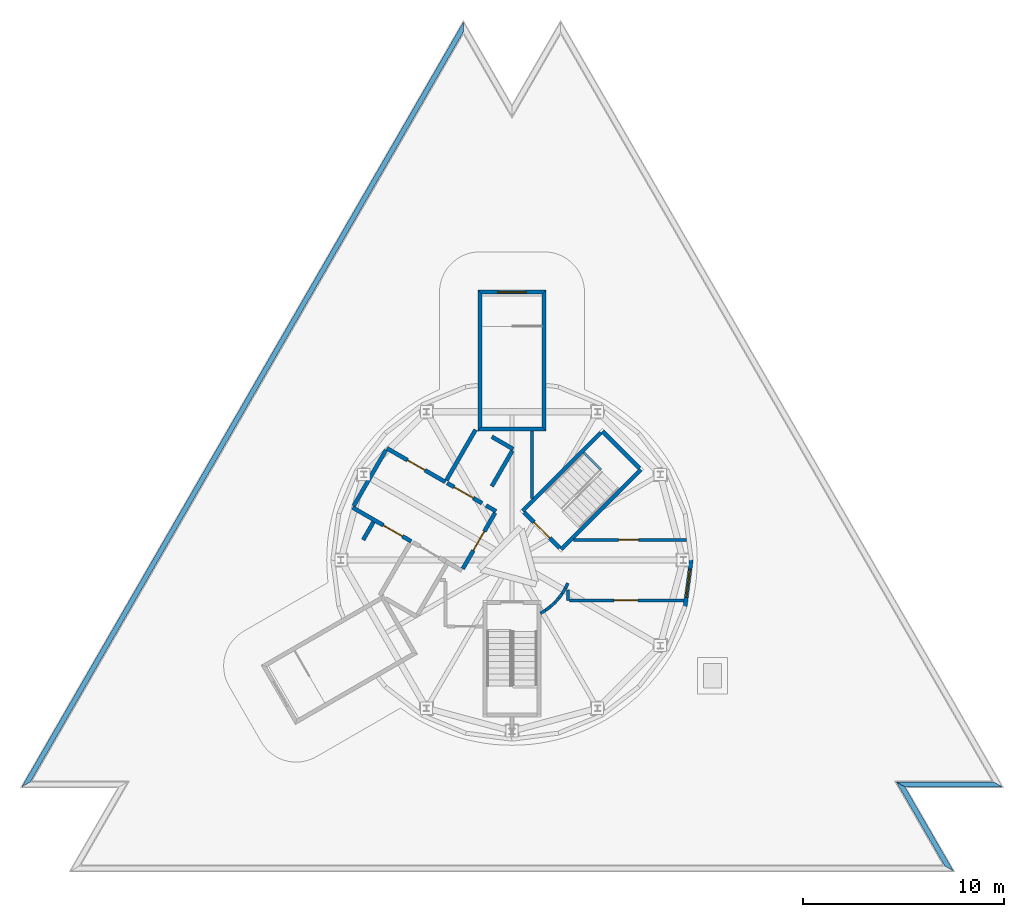
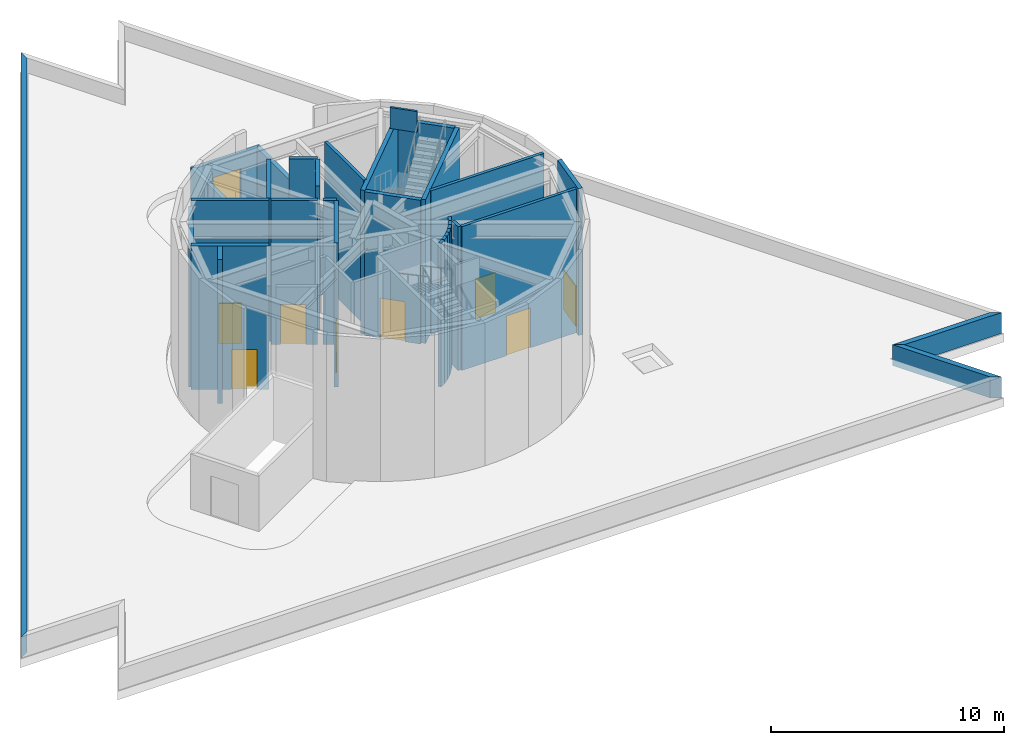
# One storey, part 3 of 7: 34 walls, 9 doors, 9 openings.
"""IFC4 building model written with IfcOpenShell, lengths in metres."""

from ifc_helpers import new_model, si_unit, direction, frame, frame_2d, origin, place, context, subcontext, project, spatial, polyline, rectangle, outline, extrude, material, layer, layer_set, layer_usage, type_object, element, fill, save


model = new_model("IFC4")

# Units and contexts
model_context = context("Model", 3, precision=1e-05, world=origin(), true_north=direction((0.0, 1.0)))
body_context = subcontext(model_context, "Body", "Model", "MODEL_VIEW")
ifc_project = project(units=[si_unit("LENGTHUNIT", "METRE"), si_unit("AREAUNIT", "SQUARE_METRE"), si_unit("VOLUMEUNIT", "CUBIC_METRE"), si_unit("PLANEANGLEUNIT", "RADIAN"), si_unit("MASSUNIT", "GRAM", prefix="KILO")], contexts=[model_context])

# Site, building, storey
site_placement = place(None, origin())
site = spatial("IfcSite", under=ifc_project, at=site_placement, CompositionType="ELEMENT")
building_placement = place(site_placement, origin())
building = spatial("IfcBuilding", under=site, at=building_placement, Name="Triada Interchange Tower", CompositionType="ELEMENT")
storey_placement = place(building_placement, frame((0.0, 0.0, 327.800048828125)))
storey = spatial("IfcBuildingStorey", under=building, at=storey_placement, Name="Roof", CompositionType="ELEMENT", Elevation=327.800048828125)

# Wall
ifc_material_1 = material(Name="Concrete C30/37", Category="concrete")
ifc_layer_1 = layer(ifc_material_1, 0.199951171875)
ifc_layer_set_1 = layer_set([ifc_layer_1], Name="CORE WALL 200 EI 180")
wall_type_1 = type_object("IfcWallType", Name="CORE WALL 200 EI 180", PredefinedType="SOLIDWALL", material=ifc_layer_set_1)
wall_1_placement = place(storey_placement, frame((-7.389892578125, 1.0, 0.0), z_axis=(0.0, 0.0, 1.0), x_axis=(0.499585473836, 0.866264598337, 0.0)))
element("IfcWall", 1, at=wall_1_placement, inside=storey, type_object=wall_type_1, Name="Wall RF 16", PredefinedType="SOLIDWALL", context=body_context, shape_type="SweptSolid", body=[
    extrude(rectangle(XDim=1.028564453125, YDim=0.199951171875, at=frame_2d((0.51416015625, 0.0))), origin(), (0.0, 0.0, 1.0), 7.550048828125),
])

# Wall, opening, door
wall_2_placement = place(storey_placement, frame((-7.907958984375, 2.60302734375, 0.0), z_axis=(0.0, 0.0, 1.0), x_axis=(0.866033983264, -0.499985139611, 0.0)))
wall_2 = element("IfcWall", 2, at=wall_2_placement, inside=storey, type_object=wall_type_1, Name="Wall RF 17", PredefinedType="SOLIDWALL", context=body_context, shape_type="SweptSolid", body=[
    extrude(rectangle(XDim=3.35205078125, YDim=0.199951171875, at=frame_2d((1.676025390625, 0.0))), origin(), (0.0, 0.0, 1.0), 7.550048828125),
])
opening_1_placement = place(wall_2_placement, frame((1.75, 0.0, 0.0)))
opening_1 = element("IfcOpeningElement", 3, at=opening_1_placement, cuts=wall_2, Name="Opening LD-SV1", PredefinedType="OPENING", context=body_context, shape_type="SweptSolid", body=[
    extrude(rectangle(XDim=1.10009765625, YDim=2.10009765625, at=frame_2d((0.550048828125, 1.050048828125))), frame((0.0, 0.10986328125, 0.0), z_axis=(0.0, -1.0, 0.0), x_axis=(1.0, 0.0, 0.0)), (0.0, 0.0, 1.0), 0.219970703125),
])
ifc_material_2 = material(Name="Steel S235 door leaf", Category="steel")
door_type_1 = type_object("IfcDoorType", Name="LIFT LANDING DOOR 1100 EI 120", OperationType="SLIDING_TO_LEFT", PredefinedType="DOOR", material=ifc_material_2)
door_1_placement = place(opening_1_placement, origin())
door_1 = element("IfcDoor", 4, at=door_1_placement, inside=storey, type_object=door_type_1, Name="SV1 landing door Roof", OperationType="SLIDING_TO_LEFT", OverallHeight=2.10009765625, OverallWidth=1.10009765625, PredefinedType="DOOR", context=body_context, shape_type="SweptSolid", body=[
    extrude(rectangle(XDim=1.10009765625, YDim=2.10009765625, at=frame_2d((0.550048828125, 1.050048828125))), frame((0.0, 0.02490234375, 0.0), z_axis=(0.0, -1.0, 0.0), x_axis=(1.0, 0.0, 0.0)), (0.0, 0.0, 1.0), 0.050048828125),
])
fill(opening_1, door_1)

wall_3_placement = place(storey_placement, frame((-6.2080078125, 5.547119140625, 0.0), z_axis=(0.0, 0.0, 1.0), x_axis=(0.866014461049, -0.500018952895, 0.0)))
wall_3 = element("IfcWall", 5, at=wall_3_placement, inside=storey, type_object=wall_type_1, Name="Wall RF 19", PredefinedType="SOLIDWALL", context=body_context, shape_type="SweptSolid", body=[
    extrude(rectangle(XDim=3.349853515625, YDim=0.199951171875, at=frame_2d((1.6748046875, 0.0))), origin(), (0.0, 0.0, 1.0), 7.550048828125),
])
opening_2_placement = place(wall_3_placement, frame((1.175048828125, 0.0, 0.0)))
opening_2 = element("IfcOpeningElement", 6, at=opening_2_placement, cuts=wall_3, Name="Opening DF-04", PredefinedType="OPENING", context=body_context, shape_type="SweptSolid", body=[
    extrude(rectangle(XDim=1.0, YDim=2.10009765625, at=frame_2d((0.5, 1.050048828125))), frame((0.0, 0.10986328125, 0.0), z_axis=(0.0, -1.0, 0.0), x_axis=(1.0, 0.0, 0.0)), (0.0, 0.0, 1.0), 0.219970703125),
])
door_type_2 = type_object("IfcDoorType", Name="ROOM DOOR 1000 EI2 45-C5S200", OperationType="NOTDEFINED", PredefinedType="DOOR", material=ifc_material_2)
door_2_placement = place(opening_2_placement, origin())
door_2 = element("IfcDoor", 7, at=door_2_placement, inside=storey, type_object=door_type_2, Name="Door DF-04 Roof", OperationType="SINGLE_SWING_LEFT", OverallHeight=2.10009765625, OverallWidth=1.0, PredefinedType="DOOR", context=body_context, shape_type="SweptSolid", body=[
    extrude(rectangle(XDim=1.0, YDim=2.10009765625, at=frame_2d((0.5, 1.050048828125))), frame((0.0, 0.02490234375, 0.0), z_axis=(0.0, -1.0, 0.0), x_axis=(1.0, 0.0, 0.0)), (0.0, 0.0, 1.0), 0.050048828125),
])
fill(opening_2, door_2)

# Walls
wall_4_placement = place(storey_placement, frame((-1.2890625, 2.70703125, 0.0), z_axis=(0.0, 0.0, 1.0), x_axis=(0.8663138212, -0.499500113311, 0.0)))
element("IfcWall", 8, at=wall_4_placement, inside=storey, type_object=wall_type_1, Name="Wall RF 20", PredefinedType="SOLIDWALL", context=body_context, shape_type="SweptSolid", body=[
    extrude(rectangle(XDim=0.5703125, YDim=0.199951171875, at=frame_2d((0.28515625, 0.0))), origin(), (0.0, 0.0, 1.0), 7.550048828125),
])
wall_5_placement = place(storey_placement, frame((-7.85791015625, 2.68896484375, 0.0), z_axis=(0.0, 0.0, 1.0), x_axis=(0.499872130319, 0.866099216793, 0.0)))
element("IfcWall", 9, at=wall_5_placement, inside=storey, type_object=wall_type_1, Name="Wall RF 21", PredefinedType="SOLIDWALL", context=body_context, shape_type="SweptSolid", body=[
    extrude(rectangle(XDim=3.200439453125, YDim=0.199951171875, at=frame_2d((1.60009765625, 0.0))), origin(), (0.0, 0.0, 1.0), 7.25),
])

# Wall, opening, door
wall_6_placement = place(storey_placement, frame((-2.445068359375, -0.43603515625, 0.0), z_axis=(0.0, 0.0, 1.0), x_axis=(0.499929347863, 0.866066190972, 0.0)))
wall_6 = element("IfcWall", 10, at=wall_6_placement, inside=storey, type_object=wall_type_1, Name="Wall RF 22", PredefinedType="SOLIDWALL", context=body_context, shape_type="SweptSolid", body=[
    extrude(rectangle(XDim=3.20068359375, YDim=0.199951171875, at=frame_2d((1.600341796875, 0.0))), origin(), (0.0, 0.0, 1.0), 7.550048828125),
])
opening_3_placement = place(wall_6_placement, frame((1.050048828125, 0.0, 0.0)))
opening_3 = element("IfcOpeningElement", 11, at=opening_3_placement, cuts=wall_6, Name="Opening DF-07", PredefinedType="OPENING", context=body_context, shape_type="SweptSolid", body=[
    extrude(rectangle(XDim=1.10009765625, YDim=2.10009765625, at=frame_2d((0.550048828125, 1.050048828125))), frame((0.0, 0.10986328125, 0.0), z_axis=(0.0, -1.0, 0.0), x_axis=(1.0, 0.0, 0.0)), (0.0, 0.0, 1.0), 0.219970703125),
])
door_type_3 = type_object("IfcDoorType", Name="FIRE LOBBY DOOR 1100 EI2 90-C5S200", OperationType="NOTDEFINED", PredefinedType="DOOR", material=ifc_material_2)
door_3_placement = place(opening_3_placement, origin())
door_3 = element("IfcDoor", 12, at=door_3_placement, inside=storey, type_object=door_type_3, Name="Door DF-07 Roof", OperationType="SINGLE_SWING_RIGHT", OverallHeight=2.10009765625, OverallWidth=1.10009765625, PredefinedType="DOOR", context=body_context, shape_type="SweptSolid", body=[
    extrude(rectangle(XDim=1.10009765625, YDim=2.10009765625, at=frame_2d((0.550048828125, 1.050048828125))), frame((0.0, 0.02490234375, 0.0), z_axis=(0.0, -1.0, 0.0), x_axis=(1.0, 0.0, 0.0)), (0.0, 0.0, 1.0), 0.050048828125),
])
fill(opening_3, door_3)

# Walls
wall_7_placement = place(storey_placement, frame((-1.001953125, 6.12109375, 0.0), z_axis=(0.0, 0.0, 1.0), x_axis=(0.866119404512, -0.499837150608, 0.0)))
element("IfcWall", 13, at=wall_7_placement, inside=storey, type_object=wall_type_1, Name="Shaft wall FF2 RF 27", PredefinedType="SOLIDWALL", context=body_context, shape_type="SweptSolid", body=[
    extrude(rectangle(XDim=1.228515625, YDim=0.199951171875, at=frame_2d((0.6142578125, 0.0))), origin(), (0.0, 0.0, 1.0), 7.550048828125),
])
wall_8_placement = place(storey_placement, frame((-3.257080078125, 3.958984375, 0.0), z_axis=(0.0, 0.0, 1.0), x_axis=(0.50012328804, 0.865954211699, 0.0)))
element("IfcWall", 14, at=wall_8_placement, inside=storey, type_object=wall_type_1, Name="Shaft wall FF2 RF 28", PredefinedType="SOLIDWALL", context=body_context, shape_type="SweptSolid", body=[
    extrude(rectangle(XDim=2.899658203125, YDim=0.199951171875, at=frame_2d((1.44970703125, 0.0))), origin(), (0.0, 0.0, 1.0), 7.550048828125),
])

# Wall, opening, door
wall_9_placement = place(storey_placement, frame((-3.219970703125, 3.822021484375, 0.0), z_axis=(0.0, 0.0, 1.0), x_axis=(0.865921435732, -0.500180034728, 0.0)))
wall_9 = element("IfcWall", 15, at=wall_9_placement, inside=storey, type_object=wall_type_1, Name="Shaft wall FF2 RF 29", PredefinedType="SOLIDWALL", context=body_context, shape_type="SweptSolid", body=[
    extrude(rectangle(XDim=2.001220703125, YDim=0.199951171875, at=frame_2d((1.00048828125, 0.0))), origin(), (0.0, 0.0, 1.0), 7.550048828125),
])
opening_4_placement = place(wall_9_placement, frame((0.39990234375, 0.0, 0.0)))
opening_4 = element("IfcOpeningElement", 16, at=opening_4_placement, cuts=wall_9, Name="Opening LD-FF2", PredefinedType="OPENING", context=body_context, shape_type="SweptSolid", body=[
    extrude(rectangle(XDim=1.10009765625, YDim=2.10009765625, at=frame_2d((0.550048828125, 1.050048828125))), frame((0.0, 0.10986328125, 0.0), z_axis=(0.0, -1.0, 0.0), x_axis=(1.0, 0.0, 0.0)), (0.0, 0.0, 1.0), 0.219970703125),
])
door_4_placement = place(opening_4_placement, origin())
door_4 = element("IfcDoor", 17, at=door_4_placement, inside=storey, type_object=door_type_1, Name="FF2 landing door Roof", OperationType="SLIDING_TO_LEFT", OverallHeight=2.10009765625, OverallWidth=1.10009765625, PredefinedType="DOOR", context=body_context, shape_type="SweptSolid", body=[
    extrude(rectangle(XDim=1.10009765625, YDim=2.10009765625, at=frame_2d((0.550048828125, 1.050048828125))), frame((0.0, 0.02490234375, 0.0), z_axis=(0.0, -1.0, 0.0), x_axis=(1.0, 0.0, 0.0)), (0.0, 0.0, 1.0), 0.050048828125),
])
fill(opening_4, door_4)

# Walls
wall_10_placement = place(storey_placement, frame((-1.001953125, 3.6640625, 0.0), z_axis=(0.0, 0.0, 1.0), x_axis=(0.50006293075, 0.86598906765, 0.0)))
element("IfcWall", 18, at=wall_10_placement, inside=storey, type_object=wall_type_1, Name="Shaft wall FF2 RF 30", PredefinedType="SOLIDWALL", context=body_context, shape_type="SweptSolid", body=[
    extrude(rectangle(XDim=2.027587890625, YDim=0.199951171875, at=frame_2d((1.013671875, 0.0))), origin(), (0.0, 0.0, 1.0), 7.550048828125),
])
ifc_layer_2 = layer(ifc_material_1, 0.199951171875)
ifc_layer_set_2 = layer_set([ifc_layer_2], Name="CORE WALL 200 REI 240")
wall_type_2 = type_object("IfcWallType", Name="CORE WALL 200 REI 240", PredefinedType="SOLIDWALL", material=ifc_layer_set_2)
wall_11_placement = place(storey_placement, frame((2.43994140625, 0.530029296875, 0.0), z_axis=(0.0, 0.0, 1.0), x_axis=(0.707106781187, 0.707106781187, 0.0)))
element("IfcWall", 19, at=wall_11_placement, inside=storey, type_object=wall_type_2, Name="Wall RF 35", PredefinedType="SOLIDWALL", context=body_context, shape_type="SweptSolid", body=[
    extrude(rectangle(XDim=5.600341796875, YDim=0.199951171875, at=frame_2d((2.80029296875, 0.0))), origin(), (0.0, 0.0, 1.0), 7.550048828125),
])
wall_12_placement = place(storey_placement, frame((4.489990234375, 6.39990234375, 0.0), z_axis=(0.0, 0.0, 1.0), x_axis=(0.707153716687, -0.707059842571, 0.0)))
element("IfcWall", 20, at=wall_12_placement, inside=storey, type_object=wall_type_2, Name="Wall RF 36", PredefinedType="SOLIDWALL", context=body_context, shape_type="SweptSolid", body=[
    extrude(rectangle(XDim=2.600830078125, YDim=0.199951171875, at=frame_2d((1.30029296875, 0.0))), origin(), (0.0, 0.0, 1.0), 7.550048828125),
])
wall_13_placement = place(storey_placement, frame((0.530029296875, 2.43994140625, 0.0), z_axis=(0.0, 0.0, 1.0), x_axis=(0.707084585955, 0.707128975721, 0.0)))
element("IfcWall", 21, at=wall_13_placement, inside=storey, type_object=wall_type_2, Name="Wall RF 37", PredefinedType="SOLIDWALL", context=body_context, shape_type="SweptSolid", body=[
    extrude(rectangle(XDim=5.5, YDim=0.199951171875, at=frame_2d((2.75, 0.0))), origin(), (0.0, 0.0, 1.0), 7.550048828125),
])

# Wall, opening, door
wall_14_placement = place(storey_placement, frame((0.60107421875, 2.368896484375, 0.0), z_axis=(0.0, 0.0, 1.0), x_axis=(0.707106781187, -0.707106781187, 0.0)))
wall_14 = element("IfcWall", 22, at=wall_14_placement, inside=storey, type_object=wall_type_2, Name="Wall RF 38", PredefinedType="SOLIDWALL", context=body_context, shape_type="SweptSolid", body=[
    extrude(rectangle(XDim=2.5, YDim=0.199951171875, at=frame_2d((1.25, 0.0))), origin(), (0.0, 0.0, 1.0), 7.550048828125),
])
opening_5_placement = place(wall_14_placement, frame((0.699951171875, 0.0, 0.0)))
opening_5 = element("IfcOpeningElement", 23, at=opening_5_placement, cuts=wall_14, Name="Opening DF-05", PredefinedType="OPENING", context=body_context, shape_type="SweptSolid", body=[
    extrude(rectangle(XDim=1.10009765625, YDim=2.10009765625, at=frame_2d((0.550048828125, 1.050048828125))), frame((0.0, 0.10986328125, 0.0), z_axis=(0.0, -1.0, 0.0), x_axis=(1.0, 0.0, 0.0)), (0.0, 0.0, 1.0), 0.219970703125),
])
door_type_4 = type_object("IfcDoorType", Name="STAIR DOOR 1100 EI2 90-C5S200", OperationType="DOUBLE_DOOR_SINGLE_SWING", PredefinedType="DOOR", material=ifc_material_2)
door_5_placement = place(opening_5_placement, origin())
door_5 = element("IfcDoor", 24, at=door_5_placement, inside=storey, type_object=door_type_4, Name="Door DF-05 Roof", OperationType="DOUBLE_DOOR_SINGLE_SWING", OverallHeight=2.10009765625, OverallWidth=1.10009765625, PredefinedType="DOOR", context=body_context, shape_type="SweptSolid", body=[
    extrude(rectangle(XDim=1.10009765625, YDim=2.10009765625, at=frame_2d((0.550048828125, 1.050048828125))), frame((0.0, 0.02490234375, 0.0), z_axis=(0.0, -1.0, 0.0), x_axis=(1.0, 0.0, 0.0)), (0.0, 0.0, 1.0), 0.050048828125),
])
fill(opening_5, door_5)

# Walls
wall_15_placement = place(storey_placement, frame((1.60009765625, 6.5, -0.449951171875), z_axis=(0.0, 0.0, 1.0), x_axis=(-1.0, 0.0, 0.0)))
element("IfcWall", 25, at=wall_15_placement, inside=storey, type_object=wall_type_2, Name="Head-house wall 1 1", PredefinedType="SOLIDWALL", context=body_context, shape_type="SweptSolid", body=[
    extrude(outline(polyline([(-0.10009765625, 0.10009765625), (1.617431640625, 0.10009765625), (3.3349609375, 0.10009765625), (3.135009765625, -0.10009765625), (1.61767578125, -0.10009765625), (0.10009765625, -0.10009765625), (-0.10009765625, 0.10009765625)])), origin(), (0.0, 0.0, 1.0), 3.349853515625),
])
wall_16_placement = place(storey_placement, frame((-1.60009765625, 6.5, -0.449951171875), z_axis=(0.0, 0.0, 1.0), x_axis=(0.0, 1.0, 0.0)))
element("IfcWall", 26, at=wall_16_placement, inside=storey, type_object=wall_type_2, Name="Head-house wall 1 2", PredefinedType="SOLIDWALL", context=body_context, shape_type="SweptSolid", body=[
    extrude(outline(polyline([(-0.135009765625, 0.10009765625), (1.623779296875, 0.10009765625), (3.38232421875, 0.10009765625), (5.14111328125, 0.10009765625), (6.89990234375, 0.10009765625), (6.699951171875, -0.10009765625), (5.041259765625, -0.10009765625), (3.38232421875, -0.10009765625), (1.7236328125, -0.10009765625), (0.06494140625, -0.10009765625), (-0.135009765625, 0.10009765625)])), origin(), (0.0, 0.0, 1.0), 3.349853515625),
])

# Wall, opening, door
wall_17_placement = place(storey_placement, frame((-1.60009765625, 13.300048828125, -0.449951171875), z_axis=(0.0, 0.0, 1.0), x_axis=(1.0, 0.0, 0.0)))
wall_17 = element("IfcWall", 27, at=wall_17_placement, inside=storey, type_object=wall_type_2, Name="Head-house wall 1 3", PredefinedType="SOLIDWALL", context=body_context, shape_type="SweptSolid", body=[
    extrude(outline(polyline([(-0.10009765625, 0.10009765625), (1.60009765625, 0.10009765625), (3.300048828125, 0.10009765625), (3.10009765625, -0.10009765625), (1.60009765625, -0.10009765625), (0.10009765625, -0.10009765625), (-0.10009765625, 0.10009765625)])), origin(), (0.0, 0.0, 1.0), 3.349853515625),
])
opening_6_placement = place(wall_17_placement, frame((0.89990234375, 0.0, 0.449951171875)))
opening_6 = element("IfcOpeningElement", 28, at=opening_6_placement, cuts=wall_17, Name="Opening DH1", PredefinedType="OPENING", context=body_context, shape_type="SweptSolid", body=[
    extrude(rectangle(XDim=1.39990234375, YDim=2.10009765625, at=frame_2d((0.699951171875, 1.050048828125))), frame((0.0, 0.110107421875, 0.0), z_axis=(0.0, -1.0, 0.0), x_axis=(1.0, 0.0, 0.0)), (0.0, 0.0, 1.0), 0.22021484375),
])
door_type_5 = type_object("IfcDoorType", Name="STAIR DOOR 1400 EI2 90-C5S200", OperationType="DOUBLE_DOOR_SINGLE_SWING", PredefinedType="DOOR", material=ifc_material_2)
door_6_placement = place(opening_6_placement, origin())
door_6 = element("IfcDoor", 29, at=door_6_placement, inside=storey, type_object=door_type_5, Name="Door DH1 Roof", OperationType="DOUBLE_DOOR_SINGLE_SWING", OverallHeight=2.10009765625, OverallWidth=1.39990234375, PredefinedType="DOOR", context=body_context, shape_type="SweptSolid", body=[
    extrude(rectangle(XDim=1.39990234375, YDim=2.10009765625, at=frame_2d((0.699951171875, 1.050048828125))), frame((0.0, 0.02490234375, 0.0), z_axis=(0.0, -1.0, 0.0), x_axis=(1.0, 0.0, 0.0)), (0.0, 0.0, 1.0), 0.050048828125),
])
fill(opening_6, door_6)

# Walls
wall_18_placement = place(storey_placement, frame((1.60009765625, 13.300048828125, -0.449951171875), z_axis=(0.0, 0.0, 1.0), x_axis=(0.0, -1.0, 0.0)))
element("IfcWall", 30, at=wall_18_placement, inside=storey, type_object=wall_type_2, Name="Head-house wall 1 4", PredefinedType="SOLIDWALL", context=body_context, shape_type="SweptSolid", body=[
    extrude(outline(polyline([(-0.10009765625, 0.10009765625), (1.64990234375, 0.10009765625), (3.39990234375, 0.10009765625), (5.14990234375, 0.10009765625), (6.89990234375, 0.10009765625), (6.699951171875, -0.10009765625), (5.050048828125, -0.10009765625), (3.39990234375, -0.10009765625), (1.75, -0.10009765625), (0.10009765625, -0.10009765625), (-0.10009765625, 0.10009765625)])), origin(), (0.0, 0.0, 1.0), 3.349853515625),
])
ifc_material_3 = material(Name="Gypsum board partition")
ifc_layer_3 = layer(ifc_material_3, 0.10009765625)
ifc_layer_set_3 = layer_set([ifc_layer_3], Name="PARTITION 100 EI 90")
wall_type_3 = type_object("IfcWallType", Name="PARTITION 100 EI 90", PredefinedType="PARTITIONING", material=ifc_layer_set_3)
wall_19_placement = place(storey_placement, frame((4.4189453125, 4.489990234375, 8.0), z_axis=(0.0, 0.0, 1.0), x_axis=(-0.706597961652, 0.707615234848, 0.0)))
element("IfcWall", 31, at=wall_19_placement, inside=storey, type_object=wall_type_3, Name="Stair guard wall RS1", PredefinedType="PARTITIONING", context=body_context, shape_type="SweptSolid", body=[
    extrude(rectangle(XDim=1.199951171875, YDim=0.10009765625, at=frame_2d((0.60009765625, 0.0))), origin(), (0.0, 0.0, 1.0), 1.099853515625),
])
ifc_layer_4 = layer(ifc_material_3, 0.14990234375)
ifc_layer_set_4 = layer_set([ifc_layer_4], Name="PARTITION 150 EI 180")
wall_type_4 = type_object("IfcWallType", Name="PARTITION 150 EI 180", PredefinedType="PARTITIONING", material=ifc_layer_set_4)
wall_20_placement = place(storey_placement, frame((1.0, 3.051025390625, 0.0), z_axis=(0.0, 0.0, 1.0), x_axis=(0.0, 1.0, 0.0)))
element("IfcWall", 32, at=wall_20_placement, inside=storey, type_object=wall_type_4, Name="Wall RF 5", PredefinedType="PARTITIONING", context=body_context, shape_type="SweptSolid", body=[
    extrude(rectangle(XDim=3.348876953125, YDim=0.14990234375, at=frame_2d((1.67431640625, 0.0))), origin(), (0.0, 0.0, 1.0), 7.550048828125),
])
wall_21_placement = place(storey_placement, frame((1.4140625, -2.64599609375, 0.0), z_axis=(0.0, 0.0, 1.0), x_axis=(0.856981583838, 0.515347033524, 0.0)))
element("IfcWall", 33, at=wall_21_placement, inside=storey, type_object=wall_type_4, Name="Wall RF 6", PredefinedType="PARTITIONING", context=body_context, shape_type="SweptSolid", body=[
    extrude(rectangle(XDim=0.295166015625, YDim=0.14990234375, at=frame_2d((0.1474609375, 0.0))), origin(), (0.0, 0.0, 1.0), 7.550048828125),
])
wall_22_placement = place(storey_placement, frame((1.6669921875, -2.493896484375, 0.0), z_axis=(0.0, 0.0, 1.0), x_axis=(0.803674959906, 0.595068532877, 0.0)))
element("IfcWall", 34, at=wall_22_placement, inside=storey, type_object=wall_type_4, Name="Wall RF 7", PredefinedType="PARTITIONING", context=body_context, shape_type="SweptSolid", body=[
    extrude(rectangle(XDim=0.293701171875, YDim=0.14990234375, at=frame_2d((0.14697265625, 0.0))), origin(), (0.0, 0.0, 1.0), 7.550048828125),
])
for number, where, z_axis, x_axis, name in (
    (35, (1.903076171875, -2.319091796875, 0.0), (0.0, 0.0, 1.0), (0.740277573162, 0.672301357037, 0.0), "Wall RF 8"),
    (36, (2.12109375, -2.12109375, 0.0), (0.0, 0.0, 1.0), (0.672301357037, 0.740277573162, 0.0), "Wall RF 9"),
):
    element("IfcWall", number, at=place(storey_placement, frame(where, z_axis=z_axis, x_axis=x_axis)), inside=storey, type_object=wall_type_4, Name=name, PredefinedType="PARTITIONING", context=body_context, shape_type="SweptSolid", body=[
        extrude(rectangle(XDim=0.29443359375, YDim=0.14990234375, at=frame_2d((0.147216796875, 0.0))), origin(), (0.0, 0.0, 1.0), 7.550048828125),
    ])
wall_23_placement = place(storey_placement, frame((2.319091796875, -1.903076171875, 0.0), z_axis=(0.0, 0.0, 1.0), x_axis=(0.595068532877, 0.803674959906, 0.0)))
element("IfcWall", 37, at=wall_23_placement, inside=storey, type_object=wall_type_4, Name="Wall RF 10", PredefinedType="PARTITIONING", context=body_context, shape_type="SweptSolid", body=[
    extrude(rectangle(XDim=0.293701171875, YDim=0.14990234375, at=frame_2d((0.14697265625, 0.0))), origin(), (0.0, 0.0, 1.0), 7.550048828125),
])
wall_24_placement = place(storey_placement, frame((2.493896484375, -1.6669921875, 0.0), z_axis=(0.0, 0.0, 1.0), x_axis=(0.515347033524, 0.856981583838, 0.0)))
element("IfcWall", 38, at=wall_24_placement, inside=storey, type_object=wall_type_4, Name="Wall RF 11", PredefinedType="PARTITIONING", context=body_context, shape_type="SweptSolid", body=[
    extrude(rectangle(XDim=0.295166015625, YDim=0.14990234375, at=frame_2d((0.1474609375, 0.0))), origin(), (0.0, 0.0, 1.0), 7.550048828125),
])
wall_25_placement = place(storey_placement, frame((2.64599609375, -1.4140625, 0.0), z_axis=(0.0, 0.0, 1.0), x_axis=(0.427905291672, 0.90382357867, 0.0)))
element("IfcWall", 39, at=wall_25_placement, inside=storey, type_object=wall_type_4, Name="Wall RF 12", PredefinedType="PARTITIONING", context=body_context, shape_type="SweptSolid", body=[
    extrude(rectangle(XDim=0.289794921875, YDim=0.14990234375, at=frame_2d((0.14501953125, 0.0))), origin(), (0.0, 0.0, 1.0), 7.550048828125),
])
wall_26_placement = place(storey_placement, frame((2.77001953125, -2.0, 0.0), z_axis=(0.0, 0.0, 1.0), x_axis=(0.0, 1.0, 0.0)))
element("IfcWall", 40, at=wall_26_placement, inside=storey, type_object=wall_type_4, Name="Wall RF 13", PredefinedType="PARTITIONING", context=body_context, shape_type="SweptSolid", body=[
    extrude(rectangle(XDim=0.5048828125, YDim=0.14990234375, at=frame_2d((0.25244140625, 0.0))), origin(), (0.0, 0.0, 1.0), 7.550048828125),
])

# Wall, opening, door
wall_27_placement = place(storey_placement, frame((2.844970703125, -2.0, 0.0), z_axis=(0.0, 0.0, 1.0), x_axis=(1.0, 0.0, 0.0)))
wall_27 = element("IfcWall", 41, at=wall_27_placement, inside=storey, type_object=wall_type_4, Name="Wall RF 14", PredefinedType="PARTITIONING", context=body_context, shape_type="SweptSolid", body=[
    extrude(rectangle(XDim=5.692138671875, YDim=0.14990234375, at=frame_2d((2.84619140625, 0.0))), origin(), (0.0, 0.0, 1.0), 7.550048828125),
])
opening_7_placement = place(wall_27_placement, frame((2.2080078125, 0.0, 0.0)))
opening_7 = element("IfcOpeningElement", 42, at=opening_7_placement, cuts=wall_27, Name="Opening DF-01", PredefinedType="OPENING", context=body_context, shape_type="SweptSolid", body=[
    extrude(rectangle(XDim=1.199951171875, YDim=2.10009765625, at=frame_2d((0.60009765625, 1.050048828125))), frame((0.0, 0.0849609375, 0.0), z_axis=(0.0, -1.0, 0.0), x_axis=(1.0, 0.0, 0.0)), (0.0, 0.0, 1.0), 0.169921875),
])
door_type_6 = type_object("IfcDoorType", Name="DOUBLE ROOM DOOR 1200 EI2 45-C5S200", OperationType="DOUBLE_DOOR_SINGLE_SWING", PredefinedType="DOOR", material=ifc_material_2)
door_7_placement = place(opening_7_placement, origin())
door_7 = element("IfcDoor", 43, at=door_7_placement, inside=storey, type_object=door_type_6, Name="Door DF-01 Roof", OperationType="DOUBLE_DOOR_SINGLE_SWING", OverallHeight=2.10009765625, OverallWidth=1.199951171875, PredefinedType="DOOR", context=body_context, shape_type="SweptSolid", body=[
    extrude(rectangle(XDim=1.199951171875, YDim=2.10009765625, at=frame_2d((0.60009765625, 1.050048828125))), frame((0.0, 0.02490234375, 0.0), z_axis=(0.0, -1.0, 0.0), x_axis=(1.0, 0.0, 0.0)), (0.0, 0.0, 1.0), 0.050048828125),
])
fill(opening_7, door_7)

wall_28_placement = place(storey_placement, frame((3.051025390625, 1.0, 0.0), z_axis=(0.0, 0.0, 1.0), x_axis=(1.0, 0.0, 0.0)))
wall_28 = element("IfcWall", 44, at=wall_28_placement, inside=storey, type_object=wall_type_4, Name="Wall RF 15", PredefinedType="PARTITIONING", context=body_context, shape_type="SweptSolid", body=[
    extrude(rectangle(XDim=5.616943359375, YDim=0.14990234375, at=frame_2d((2.80859375, 0.0))), origin(), (0.0, 0.0, 1.0), 7.550048828125),
])
opening_8_placement = place(wall_28_placement, frame((2.238037109375, 0.0, 0.0)))
opening_8 = element("IfcOpeningElement", 45, at=opening_8_placement, cuts=wall_28, Name="Opening DF-02", PredefinedType="OPENING", context=body_context, shape_type="SweptSolid", body=[
    extrude(rectangle(XDim=1.0, YDim=2.10009765625, at=frame_2d((0.5, 1.050048828125))), frame((0.0, 0.0849609375, 0.0), z_axis=(0.0, -1.0, 0.0), x_axis=(1.0, 0.0, 0.0)), (0.0, 0.0, 1.0), 0.169921875),
])
door_8_placement = place(opening_8_placement, origin())
door_8 = element("IfcDoor", 46, at=door_8_placement, inside=storey, type_object=door_type_2, Name="Door DF-02 Roof", OperationType="SINGLE_SWING_RIGHT", OverallHeight=2.10009765625, OverallWidth=1.0, PredefinedType="DOOR", context=body_context, shape_type="SweptSolid", body=[
    extrude(rectangle(XDim=1.0, YDim=2.10009765625, at=frame_2d((0.5, 1.050048828125))), frame((0.0, 0.02490234375, 0.0), z_axis=(0.0, -1.0, 0.0), x_axis=(1.0, 0.0, 0.0)), (0.0, 0.0, 1.0), 0.050048828125),
])
fill(opening_8, door_8)

ifc_material_4 = material(Name="Cement board")
ifc_layer_5 = layer(ifc_material_4, 0.02001953125, Name="Cement board cladding")
ifc_material_5 = material(Name="Sheathing board")
ifc_layer_6 = layer(ifc_material_5, 0.014892578125, Name="Sheathing board")
ifc_material_6 = material(Name="Mineral wool")
ifc_layer_7 = layer(ifc_material_6, 0.14990234375, Name="Mineral wool between steel studs")
ifc_material_7 = material(Name="Gypsum board")
ifc_layer_8 = layer(ifc_material_7, 0.014892578125, Name="Plasterboard lining")
ifc_layer_set_5 = layer_set([ifc_layer_5, ifc_layer_6, ifc_layer_7, ifc_layer_8], Name="Plant drum access wall")
ifc_layer_usage_1 = layer_usage(ifc_layer_set_5, "AXIS2", "POSITIVE", -0.10009765625)
wall_type_5 = type_object("IfcWallType", Name="Plant drum access wall", PredefinedType="ELEMENTEDWALL", material=ifc_layer_set_5)
wall_29_placement = place(storey_placement, frame((8.594970703125, -2.31689453125, 0.0), z_axis=(0.0, 0.0, 1.0), x_axis=(0.130693689283, 0.991422795573, 0.0)))
wall_29 = element("IfcWall", 47, at=wall_29_placement, inside=storey, type_object=wall_type_5, material=ifc_layer_usage_1, Name="Plant drum access wall 24", PredefinedType="ELEMENTEDWALL", context=body_context, shape_type="SweptSolid", body=[
    extrude(rectangle(XDim=2.35009765625, YDim=0.199951171875, at=frame_2d((1.175048828125, 0.0))), origin(), (0.0, 0.0, 1.0), 7.699951171875),
])
opening_9_placement = place(wall_29_placement, frame((0.47509765625, 0.0, 0.14990234375)))
opening_9 = element("IfcOpeningElement", 48, at=opening_9_placement, cuts=wall_29, Name="Opening DA1", PredefinedType="OPENING", context=body_context, shape_type="SweptSolid", body=[
    extrude(rectangle(XDim=1.39990234375, YDim=2.10009765625, at=frame_2d((0.699951171875, 1.050048828125))), frame((0.0, 0.10986328125, 0.0), z_axis=(0.0, -1.0, 0.0), x_axis=(1.0, 0.0, 0.0)), (0.0, 0.0, 1.0), 0.219970703125),
])
ifc_material_8 = material(Name="Timber door set", Category="wood")
door_type_7 = type_object("IfcDoorType", Name="DOUBLE ROOM DOOR 1400", OperationType="DOUBLE_DOOR_SINGLE_SWING", PredefinedType="DOOR", material=ifc_material_8)
door_9_placement = place(opening_9_placement, frame((1.39990234375, 0.0, 0.0), z_axis=(0.0, 0.0, 1.0), x_axis=(-1.0, 0.0, 0.0)))
door_9 = element("IfcDoor", 49, at=door_9_placement, inside=storey, type_object=door_type_7, Name="Door DA1 Roof", OperationType="DOUBLE_DOOR_SINGLE_SWING", OverallHeight=2.10009765625, OverallWidth=1.39990234375, PredefinedType="DOOR", context=body_context, shape_type="SweptSolid", body=[
    extrude(rectangle(XDim=1.39990234375, YDim=2.10009765625, at=frame_2d((0.699951171875, 1.050048828125))), frame((0.0, 0.02490234375, 0.0), z_axis=(0.0, -1.0, 0.0), x_axis=(1.0, 0.0, 0.0)), (0.0, 0.0, 1.0), 0.050048828125),
])
fill(opening_9, door_9)

# Walls
ifc_layer_9 = layer(ifc_material_6, 0.050048828125, Name="Mineral wool insulation")
ifc_material_9 = material(Name="Concrete C40/50", Category="concrete")
ifc_layer_10 = layer(ifc_material_9, 0.199951171875, Name="Reinforced concrete parapet")
ifc_layer_set_6 = layer_set([ifc_layer_9, ifc_layer_10], Name="Roof parapet 250")
ifc_layer_usage_2 = layer_usage(ifc_layer_set_6, "AXIS2", "POSITIVE", -0.125)
wall_type_6 = type_object("IfcWallType", Name="Roof parapet 250", PredefinedType="PARAPET", material=ifc_layer_set_6)
wall_30_placement = place(storey_placement, frame((-2.416015625, 26.465087890625, 0.0), z_axis=(0.0, 0.0, 1.0), x_axis=(-0.500011545715, -0.86601873776, 0.0)))
element("IfcWall", 50, at=wall_30_placement, inside=storey, type_object=wall_type_6, material=ifc_layer_usage_2, Name="Roof parapet 01", PredefinedType="PARAPET", context=body_context, shape_type="SweptSolid", body=[
    extrude(outline(polyline([(-0.216552734375, -0.125), (1.77685546875, -0.125), (3.770263671875, -0.125), (5.763671875, -0.125), (7.75732421875, -0.125), (9.750732421875, -0.125), (11.744140625, -0.124755859375), (13.737548828125, -0.124755859375), (15.73095703125, -0.124755859375), (17.724365234375, -0.124755859375), (19.7177734375, -0.124755859375), (21.71142578125, -0.124755859375), (23.704833984375, -0.124755859375), (25.6982421875, -0.124755859375), (27.691650390625, -0.124755859375), (29.68505859375, -0.124755859375), (31.678466796875, -0.124755859375), (33.671875, -0.12451171875), (35.665283203125, -0.12451171875), (37.658935546875, -0.12451171875), (39.65234375, -0.12451171875), (41.645751953125, -0.12451171875), (43.63916015625, -0.12451171875), (43.2060546875, 0.12548828125), (41.251953125, 0.12548828125), (39.2978515625, 0.12548828125), (37.34375, 0.12548828125), (35.389892578125, 0.12548828125), (33.435791015625, 0.12548828125), (31.481689453125, 0.125244140625), (29.527587890625, 0.125244140625), (27.573486328125, 0.125244140625), (25.619384765625, 0.125244140625), (23.665283203125, 0.125244140625), (21.71142578125, 0.125244140625), (19.75732421875, 0.125244140625), (17.80322265625, 0.125244140625), (15.84912109375, 0.125244140625), (13.89501953125, 0.125244140625), (11.94091796875, 0.125244140625), (9.98681640625, 0.125), (8.03271484375, 0.125), (6.078857421875, 0.125), (4.124755859375, 0.125), (2.170654296875, 0.125), (0.216552734375, 0.125), (-0.216552734375, -0.125)])), origin(), (0.0, 0.0, 1.0), 1.099853515625),
])
wall_31_placement = place(storey_placement, frame((21.7109375, -15.324951171875, 0.0), z_axis=(0.0, 0.0, 1.0), x_axis=(-0.499964445527, 0.866045930196, 0.0)))
element("IfcWall", 51, at=wall_31_placement, inside=storey, type_object=wall_type_6, material=ifc_layer_usage_2, Name="Roof parapet 05", PredefinedType="PARAPET", context=body_context, shape_type="SweptSolid", body=[
    extrude(outline(polyline([(-0.21630859375, -0.12451171875), (1.39453125, -0.12451171875), (3.00537109375, -0.12451171875), (4.6162109375, -0.12451171875), (5.049072265625, 0.12548828125), (3.438232421875, 0.12548828125), (1.82763671875, 0.12548828125), (0.216796875, 0.12548828125), (-0.21630859375, -0.12451171875)])), origin(), (0.0, 0.0, 1.0), 1.099853515625),
])
wall_32_placement = place(storey_placement, frame((19.294921875, -11.139892578125, 0.0), z_axis=(0.0, 0.0, 1.0), x_axis=(1.0, 0.0, 0.0)))
element("IfcWall", 52, at=wall_32_placement, inside=storey, type_object=wall_type_6, material=ifc_layer_usage_2, Name="Roof parapet 06", PredefinedType="PARAPET", context=body_context, shape_type="SweptSolid", body=[
    extrude(outline(polyline([(0.216064453125, -0.125), (1.8271484375, -0.125), (3.43798828125, -0.125), (5.049072265625, -0.125), (4.615966796875, 0.125), (3.0048828125, 0.125), (1.39404296875, 0.125), (-0.217041015625, 0.125), (0.216064453125, -0.125)])), origin(), (0.0, 0.0, 1.0), 1.099853515625),
])

save(model, "model.ifc")
